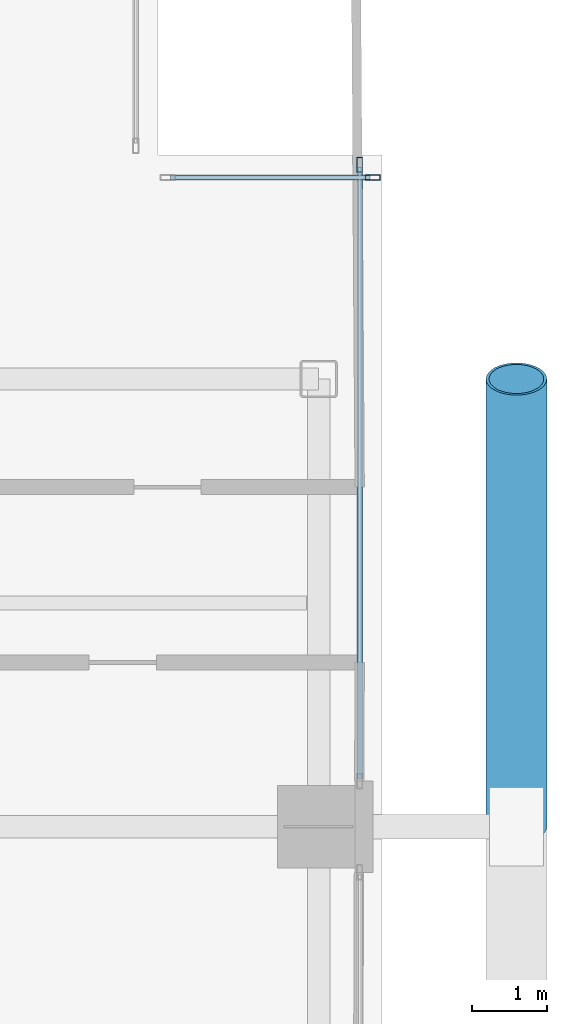
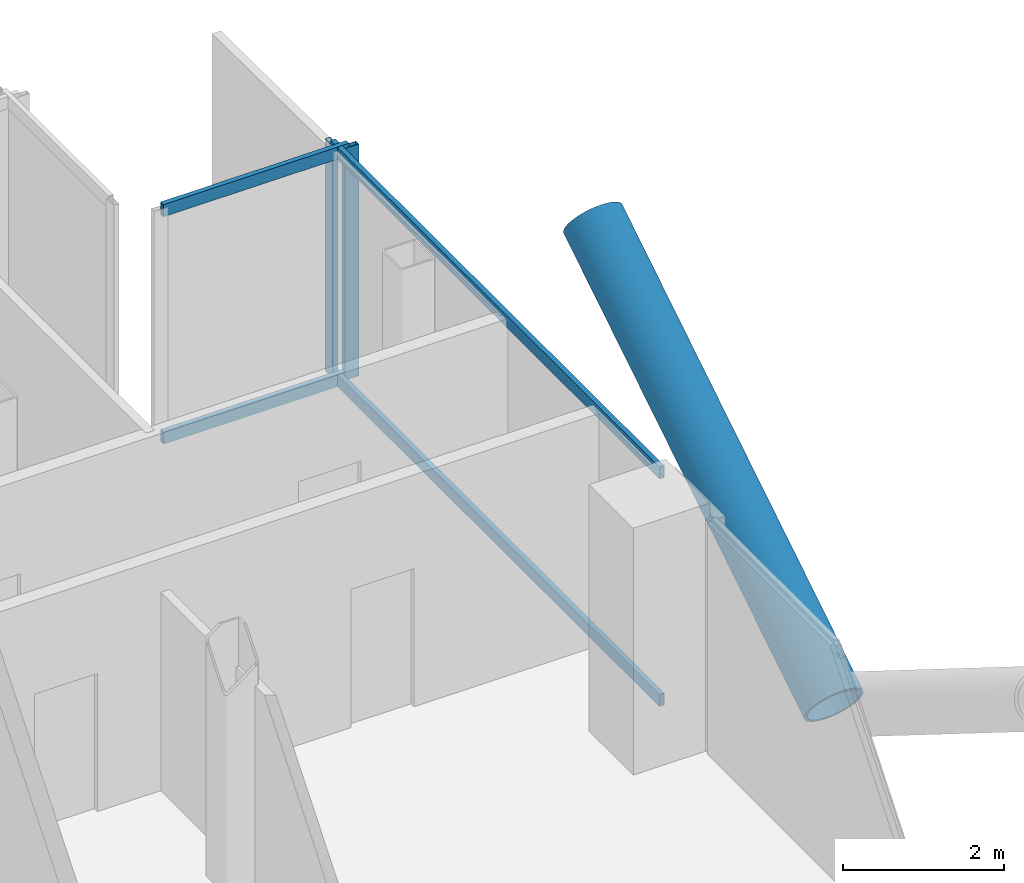
# One storey, part 14 of 28: 7 members, 2 elements without a shape of their own.
"""IFC4 building model written with IfcOpenShell, lengths in metres."""

from ifc_helpers import new_model, si_unit, direction, frame, origin, origin_2d, place, context, subcontext, project, spatial, hollow_rectangle, hollow_circle, extrude, material, layer, layer_set, material_profile, profile_set, type_object, element, aggregate, save


model = new_model("IFC4")

# Units and contexts
model_context = context("Model", 3, precision=1e-05, world=origin(), true_north=direction((0.0, 1.0)))
body_context = subcontext(model_context, "Body", "Model", "MODEL_VIEW")
ifc_project = project(units=[si_unit("LENGTHUNIT", "METRE"), si_unit("AREAUNIT", "SQUARE_METRE"), si_unit("VOLUMEUNIT", "CUBIC_METRE"), si_unit("PLANEANGLEUNIT", "RADIAN"), si_unit("MASSUNIT", "GRAM", prefix="KILO"), si_unit("THERMODYNAMICTEMPERATUREUNIT", "KELVIN"), si_unit("POWERUNIT", "WATT")], contexts=[model_context])

# Site, building, storey
site_placement = place(None, origin())
site = spatial("IfcSite", under=ifc_project, at=site_placement, CompositionType="ELEMENT")
building_placement = place(site_placement, origin())
building = spatial("IfcBuilding", under=site, at=building_placement, Name="Svarakhadi Broadcast Tower", CompositionType="ELEMENT")
storey_placement = place(building_placement, frame((0.0, 0.0, 153.14990234375)))
storey = spatial("IfcBuildingStorey", under=building, at=storey_placement, Name="L37", CompositionType="ELEMENT", Elevation=153.14990234375)

# Curtain wall, member
ifc_material_1 = material(Name="Anodised Bronze Aluminium AA 6063-T6", Category="aluminium")
ifc_layer = layer(ifc_material_1, 0.199951171875)
ifc_layer_set = layer_set([ifc_layer], Name="Anodised Bronze Aluminium AA 6063-T6")
curtain_wall_type = type_object("IfcCurtainWallType", Name="CW_Sys_03", PredefinedType="NOTDEFINED", material=ifc_layer_set)
curtain_wall_1_placement = place(storey_placement, origin())
curtain_wall_1 = element("IfcCurtainWall", 1, at=curtain_wall_1_placement, inside=storey, type_object=curtain_wall_type, Name="L37 Unitised Facade Curtain Wall 12", PredefinedType="NOTDEFINED")
ifc_material_profile_1 = material_profile(ifc_material_1, hollow_rectangle(XDim=0.074951171875, YDim=0.199951171875, WallThickness=0.005615234375, at=origin_2d()), Name="ALU MULLION 200x75x6")
ifc_profile_set_1 = profile_set([ifc_material_profile_1], Name="Anodised Bronze Aluminium AA 6063-T6")
member_type_1 = type_object("IfcMemberType", Name="CW_Sys_03_Mul", PredefinedType="MULLION", material=ifc_profile_set_1)
member_1_placement = place(storey_placement, frame((47.87255859375, 20.699951171875, 0.0), z_axis=(0.0, 0.0, 1.0), x_axis=(0.0, 1.0, 0.0)))
member_1 = element("IfcMember", 2, at=member_1_placement, type_object=member_type_1, Name="CW-03 mullion 2", PredefinedType="MULLION", context=body_context, shape_type="SweptSolid", body=[
    extrude(hollow_rectangle(XDim=0.074951171875, YDim=0.199951171875, WallThickness=0.005615234375, at=origin_2d()), origin(), (0.0, 0.0, 1.0), 3.525146484375),
])

curtain_wall_2_placement = place(storey_placement, origin())
curtain_wall_2 = element("IfcCurtainWall", 3, at=curtain_wall_2_placement, inside=storey, type_object=curtain_wall_type, Name="L37 Unitised Facade Curtain Wall 13 Bay 1", PredefinedType="NOTDEFINED")
member_2_placement = place(storey_placement, frame((47.699951171875, 20.87255859375, 0.0), z_axis=(0.0, 0.0, 1.0), x_axis=(1.0, 0.0, 0.0)))
member_2 = element("IfcMember", 4, at=member_2_placement, type_object=member_type_1, Name="CW-03 mullion 1", PredefinedType="MULLION", context=body_context, shape_type="SweptSolid", body=[
    extrude(hollow_rectangle(XDim=0.074951171875, YDim=0.199951171875, WallThickness=0.005615234375, at=origin_2d()), origin(), (0.0, 0.0, 1.0), 3.525146484375),
])

# Member
ifc_material_profile_2 = material_profile(ifc_material_1, hollow_rectangle(XDim=0.070068359375, YDim=0.18505859375, WallThickness=0.0048828125, at=origin_2d()), Name="ALU TRANSOM 185x70x5")
ifc_profile_set_2 = profile_set([ifc_material_profile_2], Name="Anodised Bronze Aluminium AA 6063-T6")
member_type_2 = type_object("IfcMemberType", Name="CW_Sys_03_Trn", PredefinedType="USERDEFINED", material=ifc_profile_set_2)
member_3_placement = place(storey_placement, frame((45.1650390625, 20.699951171875, 0.03515625), z_axis=(1.0, 0.0, 0.0), x_axis=(0.0, 1.0, 0.0)))
member_3 = element("IfcMember", 5, at=member_3_placement, type_object=member_type_2, Name="CW-03 transom 1.1", ObjectType="TRANSOM", PredefinedType="USERDEFINED", context=body_context, shape_type="SweptSolid", body=[
    extrude(hollow_rectangle(XDim=0.070068359375, YDim=0.18505859375, WallThickness=0.0048828125, at=origin_2d()), origin(), (0.0, 0.0, 1.0), 2.669921875),
])

member_4_placement = place(storey_placement, frame((45.1650390625, 20.699951171875, 3.489990234375), z_axis=(1.0, 0.0, 0.0), x_axis=(0.0, 1.0, 0.0)))
member_4 = element("IfcMember", 6, at=member_4_placement, type_object=member_type_2, Name="CW-03 transom 1.2", ObjectType="TRANSOM", PredefinedType="USERDEFINED", context=body_context, shape_type="SweptSolid", body=[
    extrude(hollow_rectangle(XDim=0.070068359375, YDim=0.18505859375, WallThickness=0.0048828125, at=origin_2d()), origin(), (0.0, 0.0, 1.0), 2.669921875),
])

aggregate(curtain_wall_1, [member_1, member_3, member_4])

member_5_placement = place(storey_placement, frame((47.699951171875, 20.8349609375, 0.03515625), z_axis=(0.0, -1.0, 0.0), x_axis=(1.0, 0.0, 0.0)))
member_5 = element("IfcMember", 7, at=member_5_placement, type_object=member_type_2, Name="CW-03 transom 1.1", ObjectType="TRANSOM", PredefinedType="USERDEFINED", context=body_context, shape_type="SweptSolid", body=[
    extrude(hollow_rectangle(XDim=0.070068359375, YDim=0.18505859375, WallThickness=0.0048828125, at=origin_2d()), origin(), (0.0, 0.0, 1.0), 8.18994140625),
])

member_6_placement = place(storey_placement, frame((47.699951171875, 20.8349609375, 3.489990234375), z_axis=(0.0, -1.0, 0.0), x_axis=(1.0, 0.0, 0.0)))
member_6 = element("IfcMember", 8, at=member_6_placement, type_object=member_type_2, Name="CW-03 transom 1.2", ObjectType="TRANSOM", PredefinedType="USERDEFINED", context=body_context, shape_type="SweptSolid", body=[
    extrude(hollow_rectangle(XDim=0.070068359375, YDim=0.18505859375, WallThickness=0.0048828125, at=origin_2d()), origin(), (0.0, 0.0, 1.0), 8.18994140625),
])

aggregate(curtain_wall_2, [member_2, member_5, member_6])

ifc_material_2 = material(Name="Steel S460ML (IS 2062 E450BR)", Category="steel")
ifc_material_profile_3 = material_profile(ifc_material_2, hollow_circle(Radius=0.406494140625, WallThickness=0.0400390625, at=origin_2d()), Name="CHS 813x40")
ifc_profile_set_3 = profile_set([ifc_material_profile_3], Name="Steel S460ML (IS 2062 E450BR)")
member_type_3 = type_object("IfcMemberType", Name="Exo_Brace_CHS813", PredefinedType="BRACE", material=ifc_profile_set_3)
member_7_placement = place(storey_placement, frame((49.800048828125, 12.0, -0.386962890625), z_axis=(0.0, 0.847998304005, 0.529998940003), x_axis=(-1.0, 0.0, 0.0)))
element("IfcMember", 9, at=member_7_placement, inside=storey, type_object=member_type_3, Name="L37 Exposed Bronze Exoskeleton Diagonal E09", PredefinedType="BRACE", context=body_context, shape_type="SweptSolid", body=[
    extrude(hollow_circle(Radius=0.406494140625, WallThickness=0.0400390625, at=origin_2d()), origin(), (0.0, 0.0, 1.0), 7.075439453125),
])

save(model, "model.ifc")
